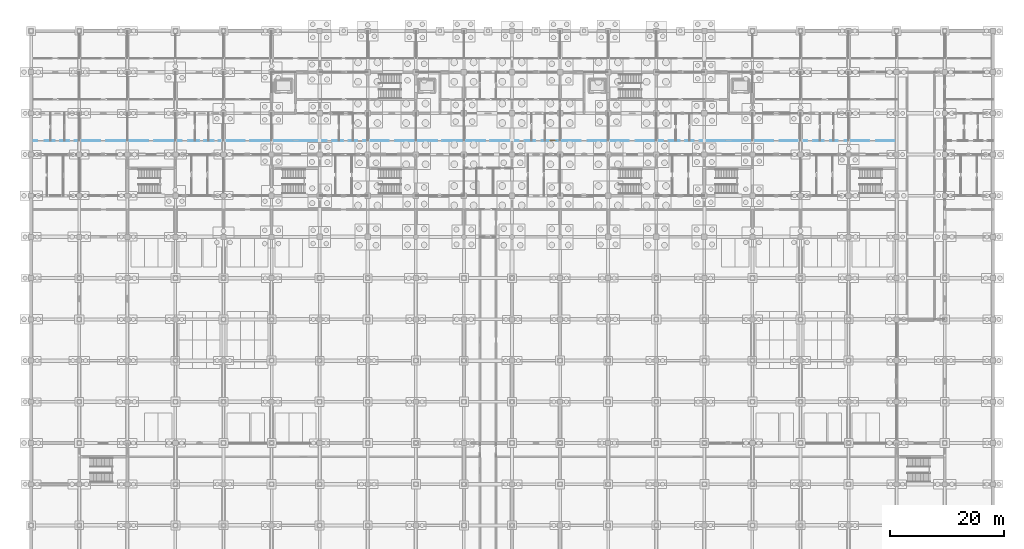
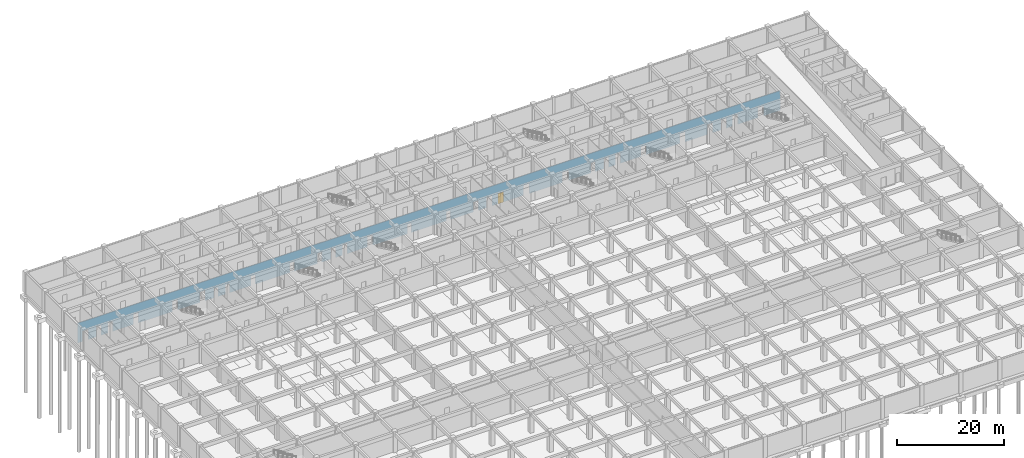
# One storey, part 59 of 85: 1 door, 30 openings, plus 1 element that does not belong to this part.
"""IFC4 building model written with IfcOpenShell, lengths in metres."""

from ifc_helpers import new_model, si_unit, direction, frame, frame_2d, origin, place, context, subcontext, project, spatial, rectangle, extrude, material, layer, layer_set, type_object, element, fill, save


model = new_model("IFC4")

# Units and contexts
model_context = context("Model", 3, precision=1e-05, world=origin(), true_north=direction((0.0, 1.0)))
body_context = subcontext(model_context, "Body", "Model", "MODEL_VIEW")
ifc_project = project(units=[si_unit("LENGTHUNIT", "METRE"), si_unit("AREAUNIT", "SQUARE_METRE"), si_unit("VOLUMEUNIT", "CUBIC_METRE"), si_unit("PLANEANGLEUNIT", "RADIAN"), si_unit("MASSUNIT", "GRAM", prefix="KILO")], contexts=[model_context])

# Site, building, storey
site_placement = place(None, origin())
site = spatial("IfcSite", under=ifc_project, at=site_placement, CompositionType="ELEMENT")
building_placement = place(site_placement, origin())
building = spatial("IfcBuilding", under=site, at=building_placement, Name="Chengyuan Square Courthouse", CompositionType="ELEMENT")
storey_placement = place(building_placement, frame((0.0, 0.0, -10.199951171875)))
storey = spatial("IfcBuildingStorey", under=building, at=storey_placement, Name="B02", CompositionType="ELEMENT", Elevation=-10.199951171875)

# Wall, openings, door
ifc_material_1 = material(Name="Gypsum Plasterboard Acoustic Stud Partition")
ifc_layer = layer(ifc_material_1, 0.10009765625)
ifc_layer_set = layer_set([ifc_layer], Name="Gypsum Plasterboard Acoustic Stud Partition")
wall_type = type_object("IfcWallType", Name="WL-PT6", PredefinedType="STANDARD", material=ifc_layer_set)
wall_placement = place(storey_placement, frame((0.0400390625, 96.0, 0.0), z_axis=(0.0, 0.0, 1.0), x_axis=(1.0, 0.0, 0.0)))
wall = element("IfcWall", 1, at=wall_placement, inside=storey, type_object=wall_type, Name="Interior Wall WL-B02-I062", PredefinedType="STANDARD", context=body_context, shape_type="SweptSolid", body=[
    extrude(rectangle(XDim=151.159912109375, YDim=0.10009765625, at=frame_2d((75.580078125, 0.0))), origin(), (0.0, 0.0, 1.0), 4.47998046875),
])
opening_1_placement = place(wall_placement, frame((1.0400390625, 0.0, 0.0)))
element("IfcOpeningElement", 2, at=opening_1_placement, cuts=wall, Name="Opening DR-148", PredefinedType="OPENING", context=body_context, shape_type="SweptSolid", body=[
    extrude(rectangle(XDim=1.280029296875, YDim=2.35009765625, at=frame_2d((0.64013671875, 1.175048828125))), frame((0.0, 0.06201171875, 0.0), z_axis=(0.0, -1.0, 0.0), x_axis=(1.0, 0.0, 0.0)), (0.0, 0.0, 1.0), 0.1240234375),
])
opening_2_placement = place(wall_placement, frame((4.090087890625, 0.0, 0.0)))
element("IfcOpeningElement", 3, at=opening_2_placement, cuts=wall, Name="Opening DR-149", PredefinedType="OPENING", context=body_context, shape_type="SweptSolid", body=[
    extrude(rectangle(XDim=0.93994140625, YDim=2.300048828125, at=frame_2d((0.469970703125, 1.14990234375))), frame((0.0, 0.06201171875, 0.0), z_axis=(0.0, -1.0, 0.0), x_axis=(1.0, 0.0, 0.0)), (0.0, 0.0, 1.0), 0.1240234375),
])
opening_3_placement = place(wall_placement, frame((6.570068359375, 0.0, 0.0)))
element("IfcOpeningElement", 4, at=opening_3_placement, cuts=wall, Name="Opening DR-150", PredefinedType="OPENING", context=body_context, shape_type="SweptSolid", body=[
    extrude(rectangle(XDim=0.97998046875, YDim=2.35009765625, at=frame_2d((0.489990234375, 1.175048828125))), frame((0.0, 0.06201171875, 0.0), z_axis=(0.0, -1.0, 0.0), x_axis=(1.0, 0.0, 0.0)), (0.0, 0.0, 1.0), 0.1240234375),
])
opening_4_placement = place(wall_placement, frame((12.050048828125, 0.0, 0.0)))
element("IfcOpeningElement", 5, at=opening_4_placement, cuts=wall, Name="Opening DR-151", PredefinedType="OPENING", context=body_context, shape_type="SweptSolid", body=[
    extrude(rectangle(XDim=1.02001953125, YDim=2.39990234375, at=frame_2d((0.510009765625, 1.199951171875))), frame((0.0, 0.06201171875, 0.0), z_axis=(0.0, -1.0, 0.0), x_axis=(1.0, 0.0, 0.0)), (0.0, 0.0, 1.0), 0.1240234375),
])
opening_5_placement = place(wall_placement, frame((20.429931640625, 0.0, 0.0)))
element("IfcOpeningElement", 6, at=opening_5_placement, cuts=wall, Name="Opening DR-152", PredefinedType="OPENING", context=body_context, shape_type="SweptSolid", body=[
    extrude(rectangle(XDim=1.06005859375, YDim=2.39990234375, at=frame_2d((0.530029296875, 1.199951171875))), frame((0.0, 0.06201171875, 0.0), z_axis=(0.0, -1.0, 0.0), x_axis=(1.0, 0.0, 0.0)), (0.0, 0.0, 1.0), 0.1240234375),
])
opening_6_placement = place(wall_placement, frame((26.2900390625, 0.0, 0.0)))
element("IfcOpeningElement", 7, at=opening_6_placement, cuts=wall, Name="Opening DR-153", PredefinedType="OPENING", context=body_context, shape_type="SweptSolid", body=[
    extrude(rectangle(XDim=1.139892578125, YDim=2.39990234375, at=frame_2d((0.56982421875, 1.199951171875))), frame((0.0, 0.06201171875, 0.0), z_axis=(0.0, -1.0, 0.0), x_axis=(1.0, 0.0, 0.0)), (0.0, 0.0, 1.0), 0.1240234375),
])
opening_7_placement = place(wall_placement, frame((29.31005859375, 0.0, 0.0)))
element("IfcOpeningElement", 8, at=opening_7_placement, cuts=wall, Name="Opening DR-154", PredefinedType="OPENING", context=body_context, shape_type="SweptSolid", body=[
    extrude(rectangle(XDim=0.89990234375, YDim=2.14990234375, at=frame_2d((0.449951171875, 1.074951171875))), frame((0.0, 0.06201171875, 0.0), z_axis=(0.0, -1.0, 0.0), x_axis=(1.0, 0.0, 0.0)), (0.0, 0.0, 1.0), 0.1240234375),
])
opening_8_placement = place(wall_placement, frame((31.830078125, 0.0, 0.0)))
element("IfcOpeningElement", 9, at=opening_8_placement, cuts=wall, Name="Opening DR-155", PredefinedType="OPENING", context=body_context, shape_type="SweptSolid", body=[
    extrude(rectangle(XDim=0.860107421875, YDim=2.10009765625, at=frame_2d((0.43017578125, 1.050048828125))), frame((0.0, 0.06201171875, 0.0), z_axis=(0.0, -1.0, 0.0), x_axis=(1.0, 0.0, 0.0)), (0.0, 0.0, 1.0), 0.1240234375),
])
opening_9_placement = place(wall_placement, frame((37.300048828125, 0.0, 0.0)))
element("IfcOpeningElement", 10, at=opening_9_placement, cuts=wall, Name="Opening DR-156", PredefinedType="OPENING", context=body_context, shape_type="SweptSolid", body=[
    extrude(rectangle(XDim=0.919921875, YDim=2.14990234375, at=frame_2d((0.4599609375, 1.074951171875))), frame((0.0, 0.06201171875, 0.0), z_axis=(0.0, -1.0, 0.0), x_axis=(1.0, 0.0, 0.0)), (0.0, 0.0, 1.0), 0.1240234375),
])
opening_10_placement = place(wall_placement, frame((45.679931640625, 0.0, 0.0)))
element("IfcOpeningElement", 11, at=opening_10_placement, cuts=wall, Name="Opening DR-157", PredefinedType="OPENING", context=body_context, shape_type="SweptSolid", body=[
    extrude(rectangle(XDim=0.9599609375, YDim=2.199951171875, at=frame_2d((0.47998046875, 1.10009765625))), frame((0.0, 0.06201171875, 0.0), z_axis=(0.0, -1.0, 0.0), x_axis=(1.0, 0.0, 0.0)), (0.0, 0.0, 1.0), 0.1240234375),
])
opening_11_placement = place(wall_placement, frame((51.570068359375, 0.0, 0.0)))
element("IfcOpeningElement", 12, at=opening_11_placement, cuts=wall, Name="Opening DR-167", PredefinedType="OPENING", context=body_context, shape_type="SweptSolid", body=[
    extrude(rectangle(XDim=0.97998046875, YDim=2.35009765625, at=frame_2d((0.489990234375, 1.175048828125))), frame((0.0, 0.06201171875, 0.0), z_axis=(0.0, -1.0, 0.0), x_axis=(1.0, 0.0, 0.0)), (0.0, 0.0, 1.0), 0.1240234375),
])
opening_12_placement = place(wall_placement, frame((54.449951171875, 0.0, 0.0)))
element("IfcOpeningElement", 13, at=opening_12_placement, cuts=wall, Name="Opening DR-168", PredefinedType="OPENING", context=body_context, shape_type="SweptSolid", body=[
    extrude(rectangle(XDim=1.02001953125, YDim=2.39990234375, at=frame_2d((0.510009765625, 1.199951171875))), frame((0.0, 0.06201171875, 0.0), z_axis=(0.0, -1.0, 0.0), x_axis=(1.0, 0.0, 0.0)), (0.0, 0.0, 1.0), 0.1240234375),
])
opening_13_placement = place(wall_placement, frame((56.929931640625, 0.0, 0.0)))
element("IfcOpeningElement", 14, at=opening_13_placement, cuts=wall, Name="Opening DR-169", PredefinedType="OPENING", context=body_context, shape_type="SweptSolid", body=[
    extrude(rectangle(XDim=1.06005859375, YDim=2.39990234375, at=frame_2d((0.530029296875, 1.199951171875))), frame((0.0, 0.06201171875, 0.0), z_axis=(0.0, -1.0, 0.0), x_axis=(1.0, 0.0, 0.0)), (0.0, 0.0, 1.0), 0.1240234375),
])
opening_14_placement = place(wall_placement, frame((62.389892578125, 0.0, 0.0)))
element("IfcOpeningElement", 15, at=opening_14_placement, cuts=wall, Name="Opening DR-170", PredefinedType="OPENING", context=body_context, shape_type="SweptSolid", body=[
    extrude(rectangle(XDim=1.139892578125, YDim=2.39990234375, at=frame_2d((0.56982421875, 1.199951171875))), frame((0.0, 0.06201171875, 0.0), z_axis=(0.0, -1.0, 0.0), x_axis=(1.0, 0.0, 0.0)), (0.0, 0.0, 1.0), 0.1240234375),
])
opening_15_placement = place(wall_placement, frame((70.909912109375, 0.0, 0.0)))
element("IfcOpeningElement", 16, at=opening_15_placement, cuts=wall, Name="Opening DR-171", PredefinedType="OPENING", context=body_context, shape_type="SweptSolid", body=[
    extrude(rectangle(XDim=0.89990234375, YDim=2.14990234375, at=frame_2d((0.449951171875, 1.074951171875))), frame((0.0, 0.06201171875, 0.0), z_axis=(0.0, -1.0, 0.0), x_axis=(1.0, 0.0, 0.0)), (0.0, 0.0, 1.0), 0.1240234375),
])
opening_16_placement = place(wall_placement, frame((79.330078125, 0.0, 0.0)))
element("IfcOpeningElement", 17, at=opening_16_placement, cuts=wall, Name="Opening DR-172", PredefinedType="OPENING", context=body_context, shape_type="SweptSolid", body=[
    extrude(rectangle(XDim=0.860107421875, YDim=2.10009765625, at=frame_2d((0.43017578125, 1.050048828125))), frame((0.0, 0.06201171875, 0.0), z_axis=(0.0, -1.0, 0.0), x_axis=(1.0, 0.0, 0.0)), (0.0, 0.0, 1.0), 0.1240234375),
])
opening_17_placement = place(wall_placement, frame((85.10009765625, 0.0, 0.0)))
element("IfcOpeningElement", 18, at=opening_17_placement, cuts=wall, Name="Opening DR-178", PredefinedType="OPENING", context=body_context, shape_type="SweptSolid", body=[
    extrude(rectangle(XDim=1.1201171875, YDim=2.25, at=frame_2d((0.56005859375, 1.125))), frame((0.0, 0.06201171875, 0.0), z_axis=(0.0, -1.0, 0.0), x_axis=(1.0, 0.0, 0.0)), (0.0, 0.0, 1.0), 0.1240234375),
])
opening_18_placement = place(wall_placement, frame((87.97998046875, 0.0, 0.0)))
element("IfcOpeningElement", 19, at=opening_18_placement, cuts=wall, Name="Opening DR-179", PredefinedType="OPENING", context=body_context, shape_type="SweptSolid", body=[
    extrude(rectangle(XDim=1.159912109375, YDim=2.300048828125, at=frame_2d((0.580078125, 1.14990234375))), frame((0.0, 0.06201171875, 0.0), z_axis=(0.0, -1.0, 0.0), x_axis=(1.0, 0.0, 0.0)), (0.0, 0.0, 1.0), 0.1240234375),
])
opening_19_placement = place(wall_placement, frame((90.4599609375, 0.0, 0.0)))
opening_19 = element("IfcOpeningElement", 20, at=opening_19_placement, cuts=wall, Name="Opening DR-180", PredefinedType="OPENING", context=body_context, shape_type="SweptSolid", body=[
    extrude(rectangle(XDim=1.199951171875, YDim=2.35009765625, at=frame_2d((0.60009765625, 1.175048828125))), frame((0.0, 0.06201171875, 0.0), z_axis=(0.0, -1.0, 0.0), x_axis=(1.0, 0.0, 0.0)), (0.0, 0.0, 1.0), 0.1240234375),
])
opening_20_placement = place(wall_placement, frame((95.93994140625, 0.0, 0.0)))
element("IfcOpeningElement", 21, at=opening_20_placement, cuts=wall, Name="Opening DR-181", PredefinedType="OPENING", context=body_context, shape_type="SweptSolid", body=[
    extrude(rectangle(XDim=1.239990234375, YDim=2.300048828125, at=frame_2d((0.6201171875, 1.14990234375))), frame((0.0, 0.06201171875, 0.0), z_axis=(0.0, -1.0, 0.0), x_axis=(1.0, 0.0, 0.0)), (0.0, 0.0, 1.0), 0.1240234375),
])
opening_21_placement = place(wall_placement, frame((104.320068359375, 0.0, 0.0)))
element("IfcOpeningElement", 22, at=opening_21_placement, cuts=wall, Name="Opening DR-182", PredefinedType="OPENING", context=body_context, shape_type="SweptSolid", body=[
    extrude(rectangle(XDim=1.280029296875, YDim=2.35009765625, at=frame_2d((0.64013671875, 1.175048828125))), frame((0.0, 0.06201171875, 0.0), z_axis=(0.0, -1.0, 0.0), x_axis=(1.0, 0.0, 0.0)), (0.0, 0.0, 1.0), 0.1240234375),
])
opening_22_placement = place(wall_placement, frame((110.389892578125, 0.0, 0.0)))
element("IfcOpeningElement", 23, at=opening_22_placement, cuts=wall, Name="Opening DR-183", PredefinedType="OPENING", context=body_context, shape_type="SweptSolid", body=[
    extrude(rectangle(XDim=0.93994140625, YDim=2.300048828125, at=frame_2d((0.469970703125, 1.14990234375))), frame((0.0, 0.06201171875, 0.0), z_axis=(0.0, -1.0, 0.0), x_axis=(1.0, 0.0, 0.0)), (0.0, 0.0, 1.0), 0.1240234375),
])
opening_23_placement = place(wall_placement, frame((113.27001953125, 0.0, 0.0)))
element("IfcOpeningElement", 24, at=opening_23_placement, cuts=wall, Name="Opening DR-184", PredefinedType="OPENING", context=body_context, shape_type="SweptSolid", body=[
    extrude(rectangle(XDim=0.97998046875, YDim=2.35009765625, at=frame_2d((0.489990234375, 1.175048828125))), frame((0.0, 0.06201171875, 0.0), z_axis=(0.0, -1.0, 0.0), x_axis=(1.0, 0.0, 0.0)), (0.0, 0.0, 1.0), 0.1240234375),
])
opening_24_placement = place(wall_placement, frame((115.75, 0.0, 0.0)))
element("IfcOpeningElement", 25, at=opening_24_placement, cuts=wall, Name="Opening DR-185", PredefinedType="OPENING", context=body_context, shape_type="SweptSolid", body=[
    extrude(rectangle(XDim=1.02001953125, YDim=2.39990234375, at=frame_2d((0.510009765625, 1.199951171875))), frame((0.0, 0.06201171875, 0.0), z_axis=(0.0, -1.0, 0.0), x_axis=(1.0, 0.0, 0.0)), (0.0, 0.0, 1.0), 0.1240234375),
])
opening_25_placement = place(wall_placement, frame((121.239990234375, 0.0, 0.0)))
element("IfcOpeningElement", 26, at=opening_25_placement, cuts=wall, Name="Opening DR-193", PredefinedType="OPENING", context=body_context, shape_type="SweptSolid", body=[
    extrude(rectangle(XDim=1.0400390625, YDim=2.199951171875, at=frame_2d((0.52001953125, 1.10009765625))), frame((0.0, 0.06201171875, 0.0), z_axis=(0.0, -1.0, 0.0), x_axis=(1.0, 0.0, 0.0)), (0.0, 0.0, 1.0), 0.1240234375),
])
opening_26_placement = place(wall_placement, frame((129.6201171875, 0.0, 0.0)))
element("IfcOpeningElement", 27, at=opening_26_placement, cuts=wall, Name="Opening DR-194", PredefinedType="OPENING", context=body_context, shape_type="SweptSolid", body=[
    extrude(rectangle(XDim=1.080078125, YDim=2.25, at=frame_2d((0.5400390625, 1.125))), frame((0.0, 0.06201171875, 0.0), z_axis=(0.0, -1.0, 0.0), x_axis=(1.0, 0.0, 0.0)), (0.0, 0.0, 1.0), 0.1240234375),
])
opening_27_placement = place(wall_placement, frame((135.5, 0.0, 0.0)))
element("IfcOpeningElement", 28, at=opening_27_placement, cuts=wall, Name="Opening DR-195", PredefinedType="OPENING", context=body_context, shape_type="SweptSolid", body=[
    extrude(rectangle(XDim=1.1201171875, YDim=2.25, at=frame_2d((0.56005859375, 1.125))), frame((0.0, 0.06201171875, 0.0), z_axis=(0.0, -1.0, 0.0), x_axis=(1.0, 0.0, 0.0)), (0.0, 0.0, 1.0), 0.1240234375),
])
opening_28_placement = place(wall_placement, frame((138.3798828125, 0.0, 0.0)))
element("IfcOpeningElement", 29, at=opening_28_placement, cuts=wall, Name="Opening DR-196", PredefinedType="OPENING", context=body_context, shape_type="SweptSolid", body=[
    extrude(rectangle(XDim=1.159912109375, YDim=2.300048828125, at=frame_2d((0.580078125, 1.14990234375))), frame((0.0, 0.06201171875, 0.0), z_axis=(0.0, -1.0, 0.0), x_axis=(1.0, 0.0, 0.0)), (0.0, 0.0, 1.0), 0.1240234375),
])
opening_29_placement = place(wall_placement, frame((140.860107421875, 0.0, 0.0)))
element("IfcOpeningElement", 30, at=opening_29_placement, cuts=wall, Name="Opening DR-197", PredefinedType="OPENING", context=body_context, shape_type="SweptSolid", body=[
    extrude(rectangle(XDim=1.199951171875, YDim=2.35009765625, at=frame_2d((0.60009765625, 1.175048828125))), frame((0.0, 0.06201171875, 0.0), z_axis=(0.0, -1.0, 0.0), x_axis=(1.0, 0.0, 0.0)), (0.0, 0.0, 1.0), 0.1240234375),
])
opening_30_placement = place(wall_placement, frame((146.340087890625, 0.0, 0.0)))
element("IfcOpeningElement", 31, at=opening_30_placement, cuts=wall, Name="Opening DR-198", PredefinedType="OPENING", context=body_context, shape_type="SweptSolid", body=[
    extrude(rectangle(XDim=1.239990234375, YDim=2.300048828125, at=frame_2d((0.6201171875, 1.14990234375))), frame((0.0, 0.06201171875, 0.0), z_axis=(0.0, -1.0, 0.0), x_axis=(1.0, 0.0, 0.0)), (0.0, 0.0, 1.0), 0.1240234375),
])
ifc_material_2 = material(Name="Acoustic Solid-Core Timber Door", Category="wood")
door_type = type_object("IfcDoorType", Name="DT-36", OperationType="NOTDEFINED", PredefinedType="DOOR", material=ifc_material_2)
door_placement = place(opening_19_placement, origin())
door = element("IfcDoor", 32, at=door_placement, inside=storey, type_object=door_type, Name="Interior Door DR-180", OperationType="SINGLE_SWING_LEFT", OverallHeight=2.35009765625, OverallWidth=1.199951171875, PredefinedType="DOOR", context=body_context, shape_type="SweptSolid", body=[
    extrude(rectangle(XDim=1.199951171875, YDim=2.35009765625, at=frame_2d((0.60009765625, 1.175048828125))), frame((0.0, 0.02490234375, 0.0), z_axis=(0.0, -1.0, 0.0), x_axis=(1.0, 0.0, 0.0)), (0.0, 0.0, 1.0), 0.050048828125),
])
fill(opening_19, door)

save(model, "model.ifc")
